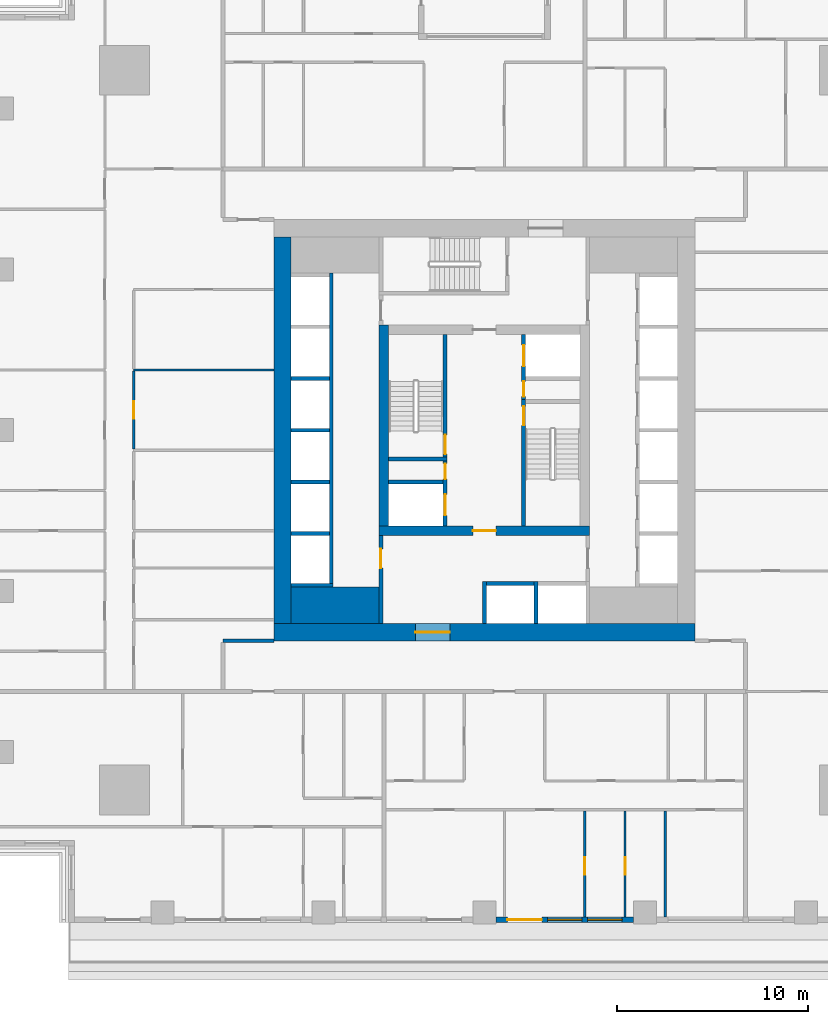
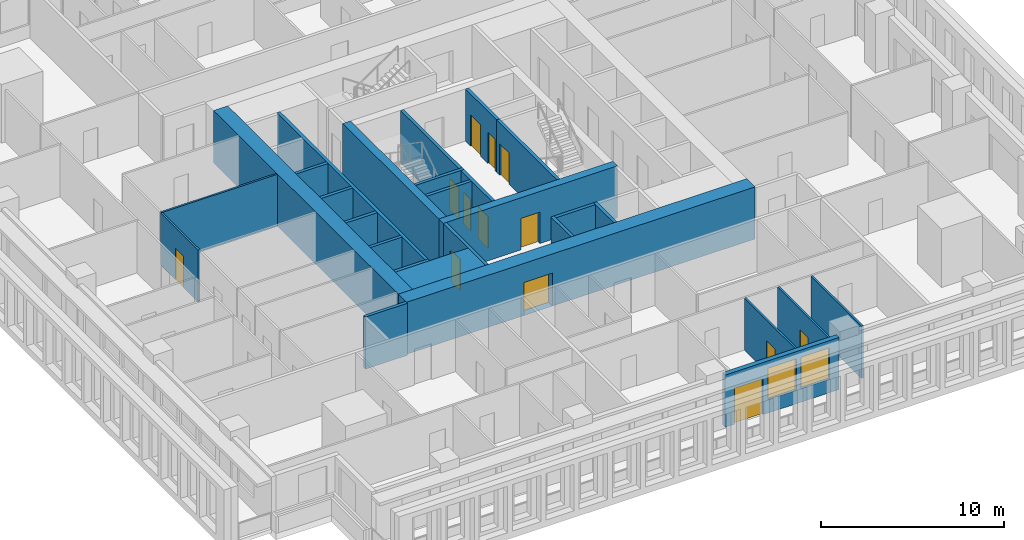
# One storey, part 4 of 16: 28 walls, 13 doors, 2 windows, 15 openings.
"""IFC4 building model written with IfcOpenShell, lengths in metres."""

from ifc_helpers import new_model, si_unit, direction, frame, frame_2d, origin, place, context, subcontext, project, spatial, rectangle, extrude, material, layer, layer_set, type_object, element, fill, save


model = new_model("IFC4")

# Units and contexts
model_context = context("Model", 3, precision=1e-05, world=origin(), true_north=direction((0.0, 1.0)))
body_context = subcontext(model_context, "Body", "Model", "MODEL_VIEW")
ifc_project = project(units=[si_unit("LENGTHUNIT", "METRE"), si_unit("AREAUNIT", "SQUARE_METRE"), si_unit("VOLUMEUNIT", "CUBIC_METRE"), si_unit("PLANEANGLEUNIT", "RADIAN"), si_unit("MASSUNIT", "GRAM", prefix="KILO")], contexts=[model_context])

# Site, building, storey
site_placement = place(None, origin())
site = spatial("IfcSite", under=ifc_project, at=site_placement, CompositionType="ELEMENT")
building_placement = place(site_placement, origin())
building = spatial("IfcBuilding", under=site, at=building_placement, Name="Khepri Terraces", CompositionType="ELEMENT")
storey_placement = place(building_placement, frame((0.0, 0.0, 133.800048828125)))
storey = spatial("IfcBuildingStorey", under=building, at=storey_placement, Name="L31", CompositionType="ELEMENT", Elevation=133.800048828125)

# Wall
ifc_material_1 = material(Name="Concrete C60/75", Category="concrete")
ifc_layer_1 = layer(ifc_material_1, 1.89990234375, Name="Concrete C60/75", Category="concrete")
ifc_layer_set_1 = layer_set([ifc_layer_1], Name="Concrete C60/75")
wall_type_1 = type_object("IfcWallType", Name="Core wall 1900 C60/75", PredefinedType="SHEAR", material=ifc_layer_set_1)
wall_1_placement = place(storey_placement, frame((-10.10009765625, -9.14990234375, 0.0), z_axis=(0.0, 0.0, 1.0), x_axis=(1.0, 0.0, 0.0)))
element("IfcWall", 1, at=wall_1_placement, inside=storey, type_object=wall_type_1, Name="Core wall PR01 L31", PredefinedType="SHEAR", context=body_context, shape_type="SweptSolid", body=[
    extrude(rectangle(XDim=4.60009765625, YDim=1.89990234375, at=frame_2d((2.300048828125, 0.0))), origin(), (0.0, 0.0, 1.0), 3.47998046875),
])

# Wall, opening, door
ifc_layer_2 = layer(ifc_material_1, 0.199951171875, Name="Concrete C60/75", Category="concrete")
ifc_layer_set_2 = layer_set([ifc_layer_2], Name="Concrete C60/75")
wall_type_2 = type_object("IfcWallType", Name="Core wall 200 C60/75", PredefinedType="SHEAR", material=ifc_layer_set_2)
wall_2_placement = place(storey_placement, frame((2.050048828125, -5.0, 0.0), z_axis=(0.0, 0.0, 1.0), x_axis=(0.0, 1.0, 0.0)))
wall_2 = element("IfcWall", 2, at=wall_2_placement, inside=storey, type_object=wall_type_2, Name="Core wall ST01 L31", PredefinedType="SHEAR", context=body_context, shape_type="SweptSolid", body=[
    extrude(rectangle(XDim=6.60009765625, YDim=0.199951171875, at=frame_2d((3.300048828125, 0.0))), origin(), (0.0, 0.0, 1.0), 3.47998046875),
])
opening_1_placement = place(wall_2_placement, frame((5.25, 0.0, 0.0)))
opening_1 = element("IfcOpeningElement", 3, at=opening_1_placement, cuts=wall_2, Name="Opening L31-C10", PredefinedType="OPENING", context=body_context, shape_type="SweptSolid", body=[
    extrude(rectangle(XDim=1.0, YDim=2.10009765625, at=frame_2d((0.5, 1.050048828125))), frame((0.0, 0.10986328125, 0.0), z_axis=(0.0, -1.0, 0.0), x_axis=(1.0, 0.0, 0.0)), (0.0, 0.0, 1.0), 0.219970703125),
])
ifc_material_2 = material(Name="Painted steel", Category="steel")
door_type_1 = type_object("IfcDoorType", Name="DR-CORE-STAIR-1000", OperationType="NOTDEFINED", PredefinedType="DOOR", material=ifc_material_2)
door_1_placement = place(opening_1_placement, frame((1.0, 0.0, 0.0), z_axis=(0.0, 0.0, 1.0), x_axis=(-1.0, 0.0, 0.0)))
door_1 = element("IfcDoor", 4, at=door_1_placement, inside=storey, type_object=door_type_1, Name="Stair door L31-C10", OperationType="SINGLE_SWING_LEFT", OverallHeight=2.10009765625, OverallWidth=1.0, PredefinedType="DOOR", context=body_context, shape_type="SweptSolid", body=[
    extrude(rectangle(XDim=1.0, YDim=2.10009765625, at=frame_2d((0.5, 1.050048828125))), frame((0.0, 0.02490234375, 0.0), z_axis=(0.0, -1.0, 0.0), x_axis=(1.0, 0.0, 0.0)), (0.0, 0.0, 1.0), 0.050048828125),
])
fill(opening_1, door_1)

# Wall
wall_3_placement = place(storey_placement, frame((-5.0, -1.5, 0.0), z_axis=(0.0, 0.0, 1.0), x_axis=(1.0, 0.0, 0.0)))
element("IfcWall", 5, at=wall_3_placement, inside=storey, type_object=wall_type_2, Name="Core wall ST02 L31", PredefinedType="SHEAR", context=body_context, shape_type="SweptSolid", body=[
    extrude(rectangle(XDim=3.050048828125, YDim=0.199951171875, at=frame_2d((1.52490234375, 0.0))), origin(), (0.0, 0.0, 1.0), 3.47998046875),
])

# Wall, opening, door
wall_4_placement = place(storey_placement, frame((-2.050048828125, -1.39990234375, 0.0), z_axis=(0.0, 0.0, 1.0), x_axis=(0.0, 1.0, 0.0)))
wall_4 = element("IfcWall", 6, at=wall_4_placement, inside=storey, type_object=wall_type_2, Name="Core wall ST03 L31", PredefinedType="SHEAR", context=body_context, shape_type="SweptSolid", body=[
    extrude(rectangle(XDim=6.39990234375, YDim=0.199951171875, at=frame_2d((3.199951171875, 0.0))), origin(), (0.0, 0.0, 1.0), 3.47998046875),
])
opening_2_placement = place(wall_4_placement, frame((0.14990234375, 0.0, 0.0)))
opening_2 = element("IfcOpeningElement", 7, at=opening_2_placement, cuts=wall_4, Name="Opening L31-C09", PredefinedType="OPENING", context=body_context, shape_type="SweptSolid", body=[
    extrude(rectangle(XDim=1.0, YDim=2.10009765625, at=frame_2d((0.5, 1.050048828125))), frame((0.0, 0.10986328125, 0.0), z_axis=(0.0, -1.0, 0.0), x_axis=(1.0, 0.0, 0.0)), (0.0, 0.0, 1.0), 0.219970703125),
])
door_2_placement = place(opening_2_placement, origin())
door_2 = element("IfcDoor", 8, at=door_2_placement, inside=storey, type_object=door_type_1, Name="Stair door L31-C09", OperationType="SINGLE_SWING_LEFT", OverallHeight=2.10009765625, OverallWidth=1.0, PredefinedType="DOOR", context=body_context, shape_type="SweptSolid", body=[
    extrude(rectangle(XDim=1.0, YDim=2.10009765625, at=frame_2d((0.5, 1.050048828125))), frame((0.0, 0.02490234375, 0.0), z_axis=(0.0, -1.0, 0.0), x_axis=(1.0, 0.0, 0.0)), (0.0, 0.0, 1.0), 0.050048828125),
])
fill(opening_2, door_2)

# Walls
for number, where, z_axis, x_axis, name in (
    (9, (0.0, -10.10009765625, 0.0), (0.0, 0.0, 1.0), (0.0, 1.0, 0.0), "Core wall SH01 L31"),
    (10, (2.699951171875, -10.10009765625, 0.0), (0.0, 0.0, 1.0), (0.0, 1.0, 0.0), "Core wall SH02 L31"),
    (11, (-10.10009765625, -8.10009765625, 0.0), (0.0, 0.0, 1.0), (1.0, 0.0, 0.0), "Core wall SH04 L31"),
):
    element("IfcWall", number, at=place(storey_placement, frame(where, z_axis=z_axis, x_axis=x_axis)), inside=storey, type_object=wall_type_2, Name=name, PredefinedType="SHEAR", context=body_context, shape_type="SweptSolid", body=[
        extrude(rectangle(XDim=2.2001953125, YDim=0.199951171875, at=frame_2d((1.10009765625, 0.0))), origin(), (0.0, 0.0, 1.0), 3.47998046875),
    ])
wall_5_placement = place(storey_placement, frame((0.10009765625, -8.0, 0.0), z_axis=(0.0, 0.0, 1.0), x_axis=(1.0, 0.0, 0.0)))
element("IfcWall", 12, at=wall_5_placement, inside=storey, type_object=wall_type_2, Name="Core wall SH07 L31", PredefinedType="SHEAR", context=body_context, shape_type="SweptSolid", body=[
    extrude(rectangle(XDim=2.5, YDim=0.199951171875, at=frame_2d((1.25, 0.0))), origin(), (0.0, 0.0, 1.0), 3.47998046875),
])
wall_6_placement = place(storey_placement, frame((-8.0, -8.0, 0.0), z_axis=(0.0, 0.0, 1.0), x_axis=(0.0, 1.0, 0.0)))
element("IfcWall", 13, at=wall_6_placement, inside=storey, type_object=wall_type_2, Name="Core wall SH09 L31", PredefinedType="SHEAR", context=body_context, shape_type="SweptSolid", body=[
    extrude(rectangle(XDim=16.199951171875, YDim=0.199951171875, at=frame_2d((8.10009765625, 0.0))), origin(), (0.0, 0.0, 1.0), 3.47998046875),
])
wall_7_placement = place(storey_placement, frame((-10.10009765625, -5.39990234375, 0.0), z_axis=(0.0, 0.0, 1.0), x_axis=(1.0, 0.0, 0.0)))
element("IfcWall", 14, at=wall_7_placement, inside=storey, type_object=wall_type_2, Name="Core wall SH10 L31", PredefinedType="SHEAR", context=body_context, shape_type="SweptSolid", body=[
    extrude(rectangle(XDim=2.0, YDim=0.199951171875, at=frame_2d((1.0, 0.0))), origin(), (0.0, 0.0, 1.0), 3.47998046875),
])

# Wall, openings, doors
wall_8_placement = place(storey_placement, frame((-2.050048828125, -5.0, 0.0), z_axis=(0.0, 0.0, 1.0), x_axis=(0.0, 1.0, 0.0)))
wall_8 = element("IfcWall", 15, at=wall_8_placement, inside=storey, type_object=wall_type_2, Name="Core wall SH12 L31", PredefinedType="SHEAR", context=body_context, shape_type="SweptSolid", body=[
    extrude(rectangle(XDim=3.39990234375, YDim=0.199951171875, at=frame_2d((1.699951171875, 0.0))), origin(), (0.0, 0.0, 1.0), 3.47998046875),
])
opening_3_placement = place(wall_8_placement, frame((0.550048828125, 0.0, 0.0)))
opening_3 = element("IfcOpeningElement", 16, at=opening_3_placement, cuts=wall_8, Name="Opening L31-C08", PredefinedType="OPENING", context=body_context, shape_type="SweptSolid", body=[
    extrude(rectangle(XDim=1.10009765625, YDim=2.10009765625, at=frame_2d((0.550048828125, 1.050048828125))), frame((0.0, 0.10986328125, 0.0), z_axis=(0.0, -1.0, 0.0), x_axis=(1.0, 0.0, 0.0)), (0.0, 0.0, 1.0), 0.219970703125),
])
opening_4_placement = place(wall_8_placement, frame((2.449951171875, 0.0, 0.0)))
opening_4 = element("IfcOpeningElement", 17, at=opening_4_placement, cuts=wall_8, Name="Opening L31-C12", PredefinedType="OPENING", context=body_context, shape_type="SweptSolid", body=[
    extrude(rectangle(XDim=0.800048828125, YDim=2.10009765625, at=frame_2d((0.39990234375, 1.050048828125))), frame((0.0, 0.10986328125, 0.0), z_axis=(0.0, -1.0, 0.0), x_axis=(1.0, 0.0, 0.0)), (0.0, 0.0, 1.0), 0.219970703125),
])
ifc_material_3 = material(Name="Stainless steel 304", Category="steel")
door_type_2 = type_object("IfcDoorType", Name="DR-CORE-FF-LANDING-1100", OperationType="NOTDEFINED", PredefinedType="DOOR", material=ifc_material_3)
door_3_placement = place(opening_3_placement, origin())
door_3 = element("IfcDoor", 18, at=door_3_placement, inside=storey, type_object=door_type_2, Name="Firefighting lift landing door L31-C08", OperationType="SLIDING_TO_LEFT", OverallHeight=2.10009765625, OverallWidth=1.10009765625, PredefinedType="DOOR", context=body_context, shape_type="SweptSolid", body=[
    extrude(rectangle(XDim=1.10009765625, YDim=2.10009765625, at=frame_2d((0.550048828125, 1.050048828125))), frame((0.0, 0.02490234375, 0.0), z_axis=(0.0, -1.0, 0.0), x_axis=(1.0, 0.0, 0.0)), (0.0, 0.0, 1.0), 0.050048828125),
])
fill(opening_3, door_3)
door_type_3 = type_object("IfcDoorType", Name="DR-CORE-RISER-800", OperationType="NOTDEFINED", PredefinedType="DOOR", material=ifc_material_2)
door_4_placement = place(opening_4_placement, origin())
door_4 = element("IfcDoor", 19, at=door_4_placement, inside=storey, type_object=door_type_3, Name="Riser door L31-C12", OperationType="SINGLE_SWING_RIGHT", OverallHeight=2.10009765625, OverallWidth=0.800048828125, PredefinedType="DOOR", context=body_context, shape_type="SweptSolid", body=[
    extrude(rectangle(XDim=0.800048828125, YDim=2.10009765625, at=frame_2d((0.39990234375, 1.050048828125))), frame((0.0, 0.02490234375, 0.0), z_axis=(0.0, -1.0, 0.0), x_axis=(1.0, 0.0, 0.0)), (0.0, 0.0, 1.0), 0.050048828125),
])
fill(opening_4, door_4)

# Walls
wall_9_placement = place(storey_placement, frame((-10.10009765625, -2.699951171875, 0.0), z_axis=(0.0, 0.0, 1.0), x_axis=(1.0, 0.0, 0.0)))
element("IfcWall", 20, at=wall_9_placement, inside=storey, type_object=wall_type_2, Name="Core wall SH13 L31", PredefinedType="SHEAR", context=body_context, shape_type="SweptSolid", body=[
    extrude(rectangle(XDim=2.0, YDim=0.199951171875, at=frame_2d((1.0, 0.0))), origin(), (0.0, 0.0, 1.0), 3.47998046875),
])
wall_10_placement = place(storey_placement, frame((-5.0, -2.699951171875, 0.0), z_axis=(0.0, 0.0, 1.0), x_axis=(1.0, 0.0, 0.0)))
element("IfcWall", 21, at=wall_10_placement, inside=storey, type_object=wall_type_2, Name="Core wall SH14 L31", PredefinedType="SHEAR", context=body_context, shape_type="SweptSolid", body=[
    extrude(rectangle(XDim=2.85009765625, YDim=0.199951171875, at=frame_2d((1.425048828125, 0.0))), origin(), (0.0, 0.0, 1.0), 3.47998046875),
])
wall_11_placement = place(storey_placement, frame((-10.10009765625, 0.0, 0.0), z_axis=(0.0, 0.0, 1.0), x_axis=(1.0, 0.0, 0.0)))
element("IfcWall", 22, at=wall_11_placement, inside=storey, type_object=wall_type_2, Name="Core wall SH16 L31", PredefinedType="SHEAR", context=body_context, shape_type="SweptSolid", body=[
    extrude(rectangle(XDim=2.0, YDim=0.199951171875, at=frame_2d((1.0, 0.0))), origin(), (0.0, 0.0, 1.0), 3.47998046875),
])

# Wall, openings, doors
wall_12_placement = place(storey_placement, frame((2.050048828125, 1.60009765625, 0.0), z_axis=(0.0, 0.0, 1.0), x_axis=(0.0, 1.0, 0.0)))
wall_12 = element("IfcWall", 23, at=wall_12_placement, inside=storey, type_object=wall_type_2, Name="Core wall SH18 L31", PredefinedType="SHEAR", context=body_context, shape_type="SweptSolid", body=[
    extrude(rectangle(XDim=3.39990234375, YDim=0.199951171875, at=frame_2d((1.699951171875, 0.0))), origin(), (0.0, 0.0, 1.0), 3.47998046875),
])
opening_5_placement = place(wall_12_placement, frame((1.75, 0.0, 0.0)))
opening_5 = element("IfcOpeningElement", 24, at=opening_5_placement, cuts=wall_12, Name="Opening L31-C07", PredefinedType="OPENING", context=body_context, shape_type="SweptSolid", body=[
    extrude(rectangle(XDim=1.10009765625, YDim=2.10009765625, at=frame_2d((0.550048828125, 1.050048828125))), frame((0.0, 0.10986328125, 0.0), z_axis=(0.0, -1.0, 0.0), x_axis=(1.0, 0.0, 0.0)), (0.0, 0.0, 1.0), 0.219970703125),
])
opening_6_placement = place(wall_12_placement, frame((0.14990234375, 0.0, 0.0)))
opening_6 = element("IfcOpeningElement", 25, at=opening_6_placement, cuts=wall_12, Name="Opening L31-C11", PredefinedType="OPENING", context=body_context, shape_type="SweptSolid", body=[
    extrude(rectangle(XDim=0.800048828125, YDim=2.10009765625, at=frame_2d((0.39990234375, 1.050048828125))), frame((0.0, 0.10986328125, 0.0), z_axis=(0.0, -1.0, 0.0), x_axis=(1.0, 0.0, 0.0)), (0.0, 0.0, 1.0), 0.219970703125),
])
door_5_placement = place(opening_5_placement, origin())
door_5 = element("IfcDoor", 26, at=door_5_placement, inside=storey, type_object=door_type_2, Name="Firefighting lift landing door L31-C07", OperationType="SLIDING_TO_LEFT", OverallHeight=2.10009765625, OverallWidth=1.10009765625, PredefinedType="DOOR", context=body_context, shape_type="SweptSolid", body=[
    extrude(rectangle(XDim=1.10009765625, YDim=2.10009765625, at=frame_2d((0.550048828125, 1.050048828125))), frame((0.0, 0.02490234375, 0.0), z_axis=(0.0, -1.0, 0.0), x_axis=(1.0, 0.0, 0.0)), (0.0, 0.0, 1.0), 0.050048828125),
])
fill(opening_5, door_5)
door_6_placement = place(opening_6_placement, frame((0.800048828125, 0.0, 0.0), z_axis=(0.0, 0.0, 1.0), x_axis=(-1.0, 0.0, 0.0)))
door_6 = element("IfcDoor", 27, at=door_6_placement, inside=storey, type_object=door_type_3, Name="Riser door L31-C11", OperationType="SINGLE_SWING_RIGHT", OverallHeight=2.10009765625, OverallWidth=0.800048828125, PredefinedType="DOOR", context=body_context, shape_type="SweptSolid", body=[
    extrude(rectangle(XDim=0.800048828125, YDim=2.10009765625, at=frame_2d((0.39990234375, 1.050048828125))), frame((0.0, 0.02490234375, 0.0), z_axis=(0.0, -1.0, 0.0), x_axis=(1.0, 0.0, 0.0)), (0.0, 0.0, 1.0), 0.050048828125),
])
fill(opening_6, door_6)

# Wall
wall_13_placement = place(storey_placement, frame((-10.10009765625, 2.699951171875, 0.0), z_axis=(0.0, 0.0, 1.0), x_axis=(1.0, 0.0, 0.0)))
element("IfcWall", 28, at=wall_13_placement, inside=storey, type_object=wall_type_2, Name="Core wall SH19 L31", PredefinedType="SHEAR", context=body_context, shape_type="SweptSolid", body=[
    extrude(rectangle(XDim=2.0, YDim=0.199951171875, at=frame_2d((1.0, 0.0))), origin(), (0.0, 0.0, 1.0), 3.47998046875),
])

# Wall, opening, door
ifc_layer_3 = layer(ifc_material_1, 0.5, Name="Concrete C60/75", Category="concrete")
ifc_layer_set_3 = layer_set([ifc_layer_3], Name="Concrete C60/75")
wall_type_3 = type_object("IfcWallType", Name="Core wall 500 C60/75", PredefinedType="SHEAR", material=ifc_layer_set_3)
wall_14_placement = place(storey_placement, frame((-5.5, -5.25, 0.0), z_axis=(0.0, 0.0, 1.0), x_axis=(1.0, 0.0, 0.0)))
wall_14 = element("IfcWall", 29, at=wall_14_placement, inside=storey, type_object=wall_type_3, Name="Core wall BX01 L31", PredefinedType="SHEAR", context=body_context, shape_type="SweptSolid", body=[
    extrude(rectangle(XDim=11.0, YDim=0.5, at=frame_2d((5.5, 0.0))), origin(), (0.0, 0.0, 1.0), 3.47998046875),
])
opening_7_placement = place(wall_14_placement, frame((4.89990234375, 0.0, 0.0)))
opening_7 = element("IfcOpeningElement", 30, at=opening_7_placement, cuts=wall_14, Name="Opening L31-C14", PredefinedType="OPENING", context=body_context, shape_type="SweptSolid", body=[
    extrude(rectangle(XDim=1.199951171875, YDim=2.10009765625, at=frame_2d((0.60009765625, 1.050048828125))), frame((0.0, 0.260009765625, 0.0), z_axis=(0.0, -1.0, 0.0), x_axis=(1.0, 0.0, 0.0)), (0.0, 0.0, 1.0), 0.52001953125),
])
door_type_4 = type_object("IfcDoorType", Name="DR-CORE-FF-LOBBY-1200", OperationType="NOTDEFINED", PredefinedType="DOOR", material=ifc_material_2)
door_7_placement = place(opening_7_placement, origin())
door_7 = element("IfcDoor", 31, at=door_7_placement, inside=storey, type_object=door_type_4, Name="Firefighting lobby door L31-C14", OperationType="SINGLE_SWING_RIGHT", OverallHeight=2.10009765625, OverallWidth=1.199951171875, PredefinedType="DOOR", context=body_context, shape_type="SweptSolid", body=[
    extrude(rectangle(XDim=1.199951171875, YDim=2.10009765625, at=frame_2d((0.60009765625, 1.050048828125))), frame((0.0, 0.02490234375, 0.0), z_axis=(0.0, -1.0, 0.0), x_axis=(1.0, 0.0, 0.0)), (0.0, 0.0, 1.0), 0.050048828125),
])
fill(opening_7, door_7)

# Wall
wall_15_placement = place(storey_placement, frame((-5.25, -5.0, 0.0), z_axis=(0.0, 0.0, 1.0), x_axis=(0.0, 1.0, 0.0)))
element("IfcWall", 32, at=wall_15_placement, inside=storey, type_object=wall_type_3, Name="Core wall BX02 L31", PredefinedType="SHEAR", context=body_context, shape_type="SweptSolid", body=[
    extrude(rectangle(XDim=10.5, YDim=0.5, at=frame_2d((5.25, 0.0))), origin(), (0.0, 0.0, 1.0), 3.47998046875),
])

# Wall, opening, door
ifc_layer_4 = layer(ifc_material_1, 0.89990234375, Name="Concrete C60/75", Category="concrete")
ifc_layer_set_4 = layer_set([ifc_layer_4], Name="Concrete C60/75")
wall_type_4 = type_object("IfcWallType", Name="Core wall 900 C60/75", PredefinedType="SHEAR", material=ifc_layer_set_4)
wall_16_placement = place(storey_placement, frame((-11.0, -10.550048828125, 0.0), z_axis=(0.0, 0.0, 1.0), x_axis=(1.0, 0.0, 0.0)))
wall_16 = element("IfcWall", 33, at=wall_16_placement, inside=storey, type_object=wall_type_4, Name="Core wall OW-S L31", PredefinedType="SHEAR", context=body_context, shape_type="SweptSolid", body=[
    extrude(rectangle(XDim=22.0, YDim=0.89990234375, at=frame_2d((11.0, 0.0))), origin(), (0.0, 0.0, 1.0), 3.47998046875),
])
opening_8_placement = place(wall_16_placement, frame((7.39990234375, 0.0, 0.0)))
opening_8 = element("IfcOpeningElement", 34, at=opening_8_placement, cuts=wall_16, Name="Opening L31-C21", PredefinedType="OPENING", context=body_context, shape_type="SweptSolid", body=[
    extrude(rectangle(XDim=1.800048828125, YDim=2.199951171875, at=frame_2d((0.89990234375, 1.10009765625))), frame((0.0, 0.4599609375, 0.0), z_axis=(0.0, -1.0, 0.0), x_axis=(1.0, 0.0, 0.0)), (0.0, 0.0, 1.0), 0.919921875),
])
door_type_5 = type_object("IfcDoorType", Name="DR-CORE-ENTRANCE-1800", OperationType="NOTDEFINED", PredefinedType="DOOR", material=ifc_material_2)
door_8_placement = place(opening_8_placement, frame((1.800048828125, 0.0, 0.0), z_axis=(0.0, 0.0, 1.0), x_axis=(-1.0, 0.0, 0.0)))
door_8 = element("IfcDoor", 35, at=door_8_placement, inside=storey, type_object=door_type_5, Name="Core entrance door pair L31-C21", OperationType="DOUBLE_DOOR_SINGLE_SWING", OverallHeight=2.199951171875, OverallWidth=1.800048828125, PredefinedType="DOOR", context=body_context, shape_type="SweptSolid", body=[
    extrude(rectangle(XDim=1.800048828125, YDim=2.199951171875, at=frame_2d((0.89990234375, 1.10009765625))), frame((0.0, 0.02490234375, 0.0), z_axis=(0.0, -1.0, 0.0), x_axis=(1.0, 0.0, 0.0)), (0.0, 0.0, 1.0), 0.050048828125),
])
fill(opening_8, door_8)

# Wall
wall_17_placement = place(storey_placement, frame((-10.550048828125, -10.10009765625, 0.0), z_axis=(0.0, 0.0, 1.0), x_axis=(0.0, 1.0, 0.0)))
element("IfcWall", 36, at=wall_17_placement, inside=storey, type_object=wall_type_4, Name="Core wall OW-W L31", PredefinedType="SHEAR", context=body_context, shape_type="SweptSolid", body=[
    extrude(rectangle(XDim=20.2001953125, YDim=0.89990234375, at=frame_2d((10.10009765625, 0.0))), origin(), (0.0, 0.0, 1.0), 3.47998046875),
])

# Wall, opening, door
ifc_material_4 = material(Name="Fire-rated gypsum board partition")
ifc_layer_5 = layer(ifc_material_4, 0.199951171875, Name="Fire-rated gypsum board partition")
ifc_layer_set_5 = layer_set([ifc_layer_5], Name="Fire-rated gypsum board partition")
wall_type_5 = type_object("IfcWallType", Name="WL-CORE-PART-200", PredefinedType="PARTITIONING", material=ifc_layer_set_5)
wall_18_placement = place(storey_placement, frame((-5.39990234375, -10.10009765625, 0.0), z_axis=(0.0, 0.0, 1.0), x_axis=(0.0, 1.0, 0.0)))
wall_18 = element("IfcWall", 37, at=wall_18_placement, inside=storey, type_object=wall_type_5, Name="Core partition PT01 L31", PredefinedType="PARTITIONING", context=body_context, shape_type="SweptSolid", body=[
    extrude(rectangle(XDim=4.60009765625, YDim=0.199951171875, at=frame_2d((2.300048828125, 0.0))), origin(), (0.0, 0.0, 1.0), 3.47998046875),
])
opening_9_placement = place(wall_18_placement, frame((2.89990234375, 0.0, 0.0)))
opening_9 = element("IfcOpeningElement", 38, at=opening_9_placement, cuts=wall_18, Name="Opening L31-C18", PredefinedType="OPENING", context=body_context, shape_type="SweptSolid", body=[
    extrude(rectangle(XDim=1.0, YDim=2.10009765625, at=frame_2d((0.5, 1.050048828125))), frame((0.0, 0.10986328125, 0.0), z_axis=(0.0, -1.0, 0.0), x_axis=(1.0, 0.0, 0.0)), (0.0, 0.0, 1.0), 0.219970703125),
])
door_type_6 = type_object("IfcDoorType", Name="DR-CORE-LOBBY-1000", OperationType="NOTDEFINED", PredefinedType="DOOR", material=ifc_material_2)
door_9_placement = place(opening_9_placement, frame((1.0, 0.0, 0.0), z_axis=(0.0, 0.0, 1.0), x_axis=(-1.0, 0.0, 0.0)))
door_9 = element("IfcDoor", 39, at=door_9_placement, inside=storey, type_object=door_type_6, Name="Lobby door L31-C18", OperationType="SINGLE_SWING_LEFT", OverallHeight=2.10009765625, OverallWidth=1.0, PredefinedType="DOOR", context=body_context, shape_type="SweptSolid", body=[
    extrude(rectangle(XDim=1.0, YDim=2.10009765625, at=frame_2d((0.5, 1.050048828125))), frame((0.0, 0.02490234375, 0.0), z_axis=(0.0, -1.0, 0.0), x_axis=(1.0, 0.0, 0.0)), (0.0, 0.0, 1.0), 0.050048828125),
])
fill(opening_9, door_9)

# Wall
ifc_material_5 = material(Name="Fire-rated gypsum plasterboard partition, mineral wool")
ifc_layer_6 = layer(ifc_material_5, 0.199951171875, Name="Fire-rated gypsum plasterboard partition, mineral wool")
ifc_layer_set_6 = layer_set([ifc_layer_6], Name="Fire-rated gypsum plasterboard partition, mineral wool")
wall_type_6 = type_object("IfcWallType", Name="WL-CORR-200", PredefinedType="PARTITIONING", material=ifc_layer_set_6)
wall_19_placement = place(storey_placement, frame((-13.64990234375, -11.0, 0.0), z_axis=(0.0, 0.0, 1.0), x_axis=(1.0, 0.0, 0.0)))
element("IfcWall", 40, at=wall_19_placement, inside=storey, type_object=wall_type_6, Name="Partition P-035 L31", PredefinedType="PARTITIONING", context=body_context, shape_type="SweptSolid", body=[
    extrude(rectangle(XDim=2.64990234375, YDim=0.199951171875, at=frame_2d((1.324951171875, 0.0))), origin(), (0.0, 0.0, 1.0), 3.47998046875),
])

# Wall, openings, door, windows
ifc_material_6 = material(Name="Precast concrete C50/60 warm stone", Category="masonry")
ifc_layer_7 = layer(ifc_material_6, 0.300048828125, Name="Precast concrete C50/60 warm stone", Category="masonry")
ifc_layer_set_7 = layer_set([ifc_layer_7], Name="Precast concrete C50/60 warm stone")
wall_type_7 = type_object("IfcWallType", Name="WL-EXT-PRECAST-300", PredefinedType="STANDARD", material=ifc_layer_set_7)
wall_20_placement = place(storey_placement, frame((0.60009765625, -25.570068359375, 0.0), z_axis=(0.0, 0.0, 1.0), x_axis=(1.0, 0.0, 0.0)))
wall_20 = element("IfcWall", 41, at=wall_20_placement, inside=storey, type_object=wall_type_7, Name="External wall L31 S", PredefinedType="STANDARD", context=body_context, shape_type="SweptSolid", body=[
    extrude(rectangle(XDim=7.199951171875, YDim=0.300048828125, at=frame_2d((3.60009765625, 0.0))), origin(), (0.0, 0.0, 1.0), 3.47998046875),
])
opening_10_placement = place(wall_20_placement, frame((0.60009765625, 0.0, 0.0)))
opening_10 = element("IfcOpeningElement", 42, at=opening_10_placement, cuts=wall_20, Name="Opening ED-L31-23", PredefinedType="OPENING", context=body_context, shape_type="SweptSolid", body=[
    extrude(rectangle(XDim=1.800048828125, YDim=2.39990234375, at=frame_2d((0.89990234375, 1.199951171875))), frame((0.0, 0.16015625, 0.0), z_axis=(0.0, -1.0, 0.0), x_axis=(1.0, 0.0, 0.0)), (0.0, 0.0, 1.0), 0.320068359375),
])
opening_11_placement = place(wall_20_placement, frame((2.699951171875, 0.0, 0.89990234375)))
opening_11 = element("IfcOpeningElement", 43, at=opening_11_placement, cuts=wall_20, Name="Opening W1", PredefinedType="OPENING", context=body_context, shape_type="SweptSolid", body=[
    extrude(rectangle(XDim=1.800048828125, YDim=2.10009765625, at=frame_2d((0.89990234375, 1.050048828125))), frame((0.0, 0.16015625, 0.0), z_axis=(0.0, -1.0, 0.0), x_axis=(1.0, 0.0, 0.0)), (0.0, 0.0, 1.0), 0.320068359375),
])
opening_12_placement = place(wall_20_placement, frame((4.800048828125, 0.0, 0.89990234375)))
opening_12 = element("IfcOpeningElement", 44, at=opening_12_placement, cuts=wall_20, Name="Opening W1", PredefinedType="OPENING", context=body_context, shape_type="SweptSolid", body=[
    extrude(rectangle(XDim=1.800048828125, YDim=2.10009765625, at=frame_2d((0.89990234375, 1.050048828125))), frame((0.0, 0.16015625, 0.0), z_axis=(0.0, -1.0, 0.0), x_axis=(1.0, 0.0, 0.0)), (0.0, 0.0, 1.0), 0.320068359375),
])
ifc_material_7 = material(Name="Anodised aluminium bronze glazed door", Category="aluminium")
door_type_7 = type_object("IfcDoorType", Name="DR-BAL-SLIDE-1800x2400", OperationType="NOTDEFINED", PredefinedType="DOOR", material=ifc_material_7)
door_10_placement = place(opening_10_placement, origin())
door_10 = element("IfcDoor", 45, at=door_10_placement, inside=storey, type_object=door_type_7, Name="Balcony door L31 S", OperationType="SLIDING_TO_LEFT", OverallHeight=2.39990234375, OverallWidth=1.800048828125, PredefinedType="DOOR", context=body_context, shape_type="SweptSolid", body=[
    extrude(rectangle(XDim=1.800048828125, YDim=2.39990234375, at=frame_2d((0.89990234375, 1.199951171875))), frame((0.0, 0.02490234375, 0.0), z_axis=(0.0, -1.0, 0.0), x_axis=(1.0, 0.0, 0.0)), (0.0, 0.0, 1.0), 0.050048828125),
])
fill(opening_10, door_10)
ifc_material_8 = material(Name="Clear glass", Category="glass")
window_type = type_object("IfcWindowType", Name="WIN-RES-1800x2100", PartitioningType="SINGLE_PANEL", PredefinedType="WINDOW", material=ifc_material_8)
window_1_placement = place(opening_11_placement, origin())
window_1 = element("IfcWindow", 46, at=window_1_placement, inside=storey, type_object=window_type, Name="Window L31 S", OverallHeight=2.10009765625, OverallWidth=1.800048828125, PartitioningType="SINGLE_PANEL", PredefinedType="WINDOW", context=body_context, shape_type="SweptSolid", body=[
    extrude(rectangle(XDim=1.800048828125, YDim=2.10009765625, at=frame_2d((0.89990234375, 1.050048828125))), frame((0.0, 0.030029296875, 0.0), z_axis=(0.0, -1.0, 0.0), x_axis=(1.0, 0.0, 0.0)), (0.0, 0.0, 1.0), 0.06005859375),
])
fill(opening_11, window_1)
window_2_placement = place(opening_12_placement, origin())
window_2 = element("IfcWindow", 47, at=window_2_placement, inside=storey, type_object=window_type, Name="Window L31 S", OverallHeight=2.10009765625, OverallWidth=1.800048828125, PartitioningType="SINGLE_PANEL", PredefinedType="WINDOW", context=body_context, shape_type="SweptSolid", body=[
    extrude(rectangle(XDim=1.800048828125, YDim=2.10009765625, at=frame_2d((0.89990234375, 1.050048828125))), frame((0.0, 0.030029296875, 0.0), z_axis=(0.0, -1.0, 0.0), x_axis=(1.0, 0.0, 0.0)), (0.0, 0.0, 1.0), 0.06005859375),
])
fill(opening_12, window_2)

# Wall, opening, door
ifc_material_9 = material(Name="Gypsum plasterboard partition")
ifc_layer_8 = layer(ifc_material_9, 0.1201171875, Name="Gypsum plasterboard partition")
ifc_layer_set_8 = layer_set([ifc_layer_8], Name="Gypsum plasterboard partition")
wall_type_8 = type_object("IfcWallType", Name="WL-PART-120", PredefinedType="PARTITIONING", material=ifc_layer_set_8)
wall_21_placement = place(storey_placement, frame((5.25, -25.419921875, 0.0), z_axis=(0.0, 0.0, 1.0), x_axis=(0.0, 1.0, 0.0)))
wall_21 = element("IfcWall", 48, at=wall_21_placement, inside=storey, type_object=wall_type_8, Name="Partition P-006 L31", PredefinedType="PARTITIONING", context=body_context, shape_type="SweptSolid", body=[
    extrude(rectangle(XDim=5.5400390625, YDim=0.1201171875, at=frame_2d((2.77001953125, 0.0))), origin(), (0.0, 0.0, 1.0), 3.47998046875),
])
opening_13_placement = place(wall_21_placement, frame((2.199951171875, 0.0, 0.0)))
opening_13 = element("IfcOpeningElement", 49, at=opening_13_placement, cuts=wall_21, Name="Opening D3", PredefinedType="OPENING", context=body_context, shape_type="SweptSolid", body=[
    extrude(rectangle(XDim=0.89990234375, YDim=2.10009765625, at=frame_2d((0.449951171875, 1.050048828125))), frame((0.0, 0.070068359375, 0.0), z_axis=(0.0, -1.0, 0.0), x_axis=(1.0, 0.0, 0.0)), (0.0, 0.0, 1.0), 0.14013671875),
])
ifc_material_10 = material(Name="Timber door leaf", Category="wood")
door_type_8 = type_object("IfcDoorType", Name="DR-INT-900", OperationType="NOTDEFINED", PredefinedType="DOOR", material=ifc_material_10)
door_11_placement = place(opening_13_placement, frame((0.89990234375, 0.0, 0.0), z_axis=(0.0, 0.0, 1.0), x_axis=(-1.0, 0.0, 0.0)))
door_11 = element("IfcDoor", 50, at=door_11_placement, inside=storey, type_object=door_type_8, Name="Door Dressing Room", OperationType="SINGLE_SWING_RIGHT", OverallHeight=2.10009765625, OverallWidth=0.89990234375, PredefinedType="DOOR", context=body_context, shape_type="SweptSolid", body=[
    extrude(rectangle(XDim=0.89990234375, YDim=2.10009765625, at=frame_2d((0.449951171875, 1.050048828125))), frame((0.0, 0.02490234375, 0.0), z_axis=(0.0, -1.0, 0.0), x_axis=(1.0, 0.0, 0.0)), (0.0, 0.0, 1.0), 0.050048828125),
])
fill(opening_13, door_11)

wall_22_placement = place(storey_placement, frame((7.35009765625, -25.419921875, 0.0), z_axis=(0.0, 0.0, 1.0), x_axis=(0.0, 1.0, 0.0)))
wall_22 = element("IfcWall", 51, at=wall_22_placement, inside=storey, type_object=wall_type_8, Name="Partition P-007 L31", PredefinedType="PARTITIONING", context=body_context, shape_type="SweptSolid", body=[
    extrude(rectangle(XDim=5.5400390625, YDim=0.1201171875, at=frame_2d((2.77001953125, 0.0))), origin(), (0.0, 0.0, 1.0), 3.47998046875),
])
opening_14_placement = place(wall_22_placement, frame((2.199951171875, 0.0, 0.0)))
opening_14 = element("IfcOpeningElement", 52, at=opening_14_placement, cuts=wall_22, Name="Opening D4", PredefinedType="OPENING", context=body_context, shape_type="SweptSolid", body=[
    extrude(rectangle(XDim=0.89990234375, YDim=2.10009765625, at=frame_2d((0.449951171875, 1.050048828125))), frame((0.0, 0.070068359375, 0.0), z_axis=(0.0, -1.0, 0.0), x_axis=(1.0, 0.0, 0.0)), (0.0, 0.0, 1.0), 0.14013671875),
])
ifc_material_11 = material(Name="Timber door leaf, moisture resistant", Category="wood")
door_type_9 = type_object("IfcDoorType", Name="DR-WET-900", OperationType="NOTDEFINED", PredefinedType="DOOR", material=ifc_material_11)
door_12_placement = place(opening_14_placement, frame((0.89990234375, 0.0, 0.0), z_axis=(0.0, 0.0, 1.0), x_axis=(-1.0, 0.0, 0.0)))
door_12 = element("IfcDoor", 53, at=door_12_placement, inside=storey, type_object=door_type_9, Name="Door Bathroom", OperationType="SINGLE_SWING_RIGHT", OverallHeight=2.10009765625, OverallWidth=0.89990234375, PredefinedType="DOOR", context=body_context, shape_type="SweptSolid", body=[
    extrude(rectangle(XDim=0.89990234375, YDim=2.10009765625, at=frame_2d((0.449951171875, 1.050048828125))), frame((0.0, 0.02490234375, 0.0), z_axis=(0.0, -1.0, 0.0), x_axis=(1.0, 0.0, 0.0)), (0.0, 0.0, 1.0), 0.050048828125),
])
fill(opening_14, door_12)

# Wall
wall_23_placement = place(storey_placement, frame((9.449951171875, -25.419921875, 0.0), z_axis=(0.0, 0.0, 1.0), x_axis=(0.0, 1.0, 0.0)))
element("IfcWall", 54, at=wall_23_placement, inside=storey, type_object=wall_type_8, Name="Partition P-008 L31", PredefinedType="PARTITIONING", context=body_context, shape_type="SweptSolid", body=[
    extrude(rectangle(XDim=5.5400390625, YDim=0.1201171875, at=frame_2d((2.77001953125, 0.0))), origin(), (0.0, 0.0, 1.0), 3.47998046875),
])

# Wall, opening, door
wall_24_placement = place(storey_placement, frame((-18.320068359375, -0.989990234375, 0.0), z_axis=(0.0, 0.0, 1.0), x_axis=(0.0, 1.0, 0.0)))
wall_24 = element("IfcWall", 55, at=wall_24_placement, inside=storey, type_object=wall_type_8, Name="Partition P-056 L31", PredefinedType="PARTITIONING", context=body_context, shape_type="SweptSolid", body=[
    extrude(rectangle(XDim=4.080078125, YDim=0.1201171875, at=frame_2d((2.0400390625, 0.0))), origin(), (0.0, 0.0, 1.0), 3.47998046875),
])
opening_15_placement = place(wall_24_placement, frame((1.590087890625, 0.0, 0.0)))
opening_15 = element("IfcOpeningElement", 56, at=opening_15_placement, cuts=wall_24, Name="Opening D3", PredefinedType="OPENING", context=body_context, shape_type="SweptSolid", body=[
    extrude(rectangle(XDim=0.89990234375, YDim=2.10009765625, at=frame_2d((0.449951171875, 1.050048828125))), frame((0.0, 0.070068359375, 0.0), z_axis=(0.0, -1.0, 0.0), x_axis=(1.0, 0.0, 0.0)), (0.0, 0.0, 1.0), 0.14013671875),
])
door_13_placement = place(opening_15_placement, frame((0.89990234375, 0.0, 0.0), z_axis=(0.0, 0.0, 1.0), x_axis=(-1.0, 0.0, 0.0)))
door_13 = element("IfcDoor", 57, at=door_13_placement, inside=storey, type_object=door_type_8, Name="Door Service Kitchen", OperationType="SINGLE_SWING_LEFT", OverallHeight=2.10009765625, OverallWidth=0.89990234375, PredefinedType="DOOR", context=body_context, shape_type="SweptSolid", body=[
    extrude(rectangle(XDim=0.89990234375, YDim=2.10009765625, at=frame_2d((0.449951171875, 1.050048828125))), frame((0.0, 0.02490234375, 0.0), z_axis=(0.0, -1.0, 0.0), x_axis=(1.0, 0.0, 0.0)), (0.0, 0.0, 1.0), 0.050048828125),
])
fill(opening_15, door_13)

# Wall
wall_25_placement = place(storey_placement, frame((-18.320068359375, 3.14990234375, 0.0), z_axis=(0.0, 0.0, 1.0), x_axis=(1.0, 0.0, 0.0)))
element("IfcWall", 58, at=wall_25_placement, inside=storey, type_object=wall_type_8, Name="Partition P-060 L31", PredefinedType="PARTITIONING", context=body_context, shape_type="SweptSolid", body=[
    extrude(rectangle(XDim=7.320068359375, YDim=0.1201171875, at=frame_2d((3.66015625, 0.0))), origin(), (0.0, 0.0, 1.0), 3.47998046875),
])

save(model, "model.ifc")
